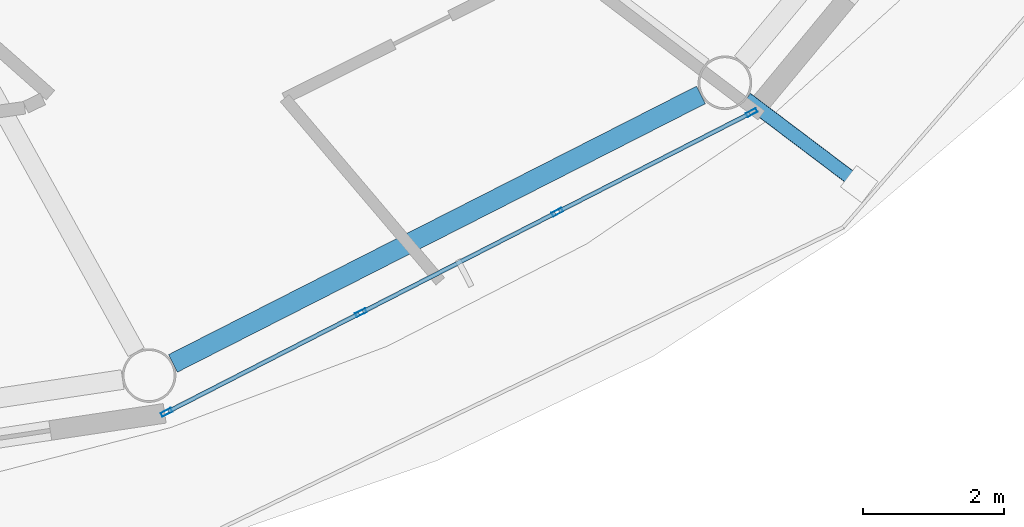
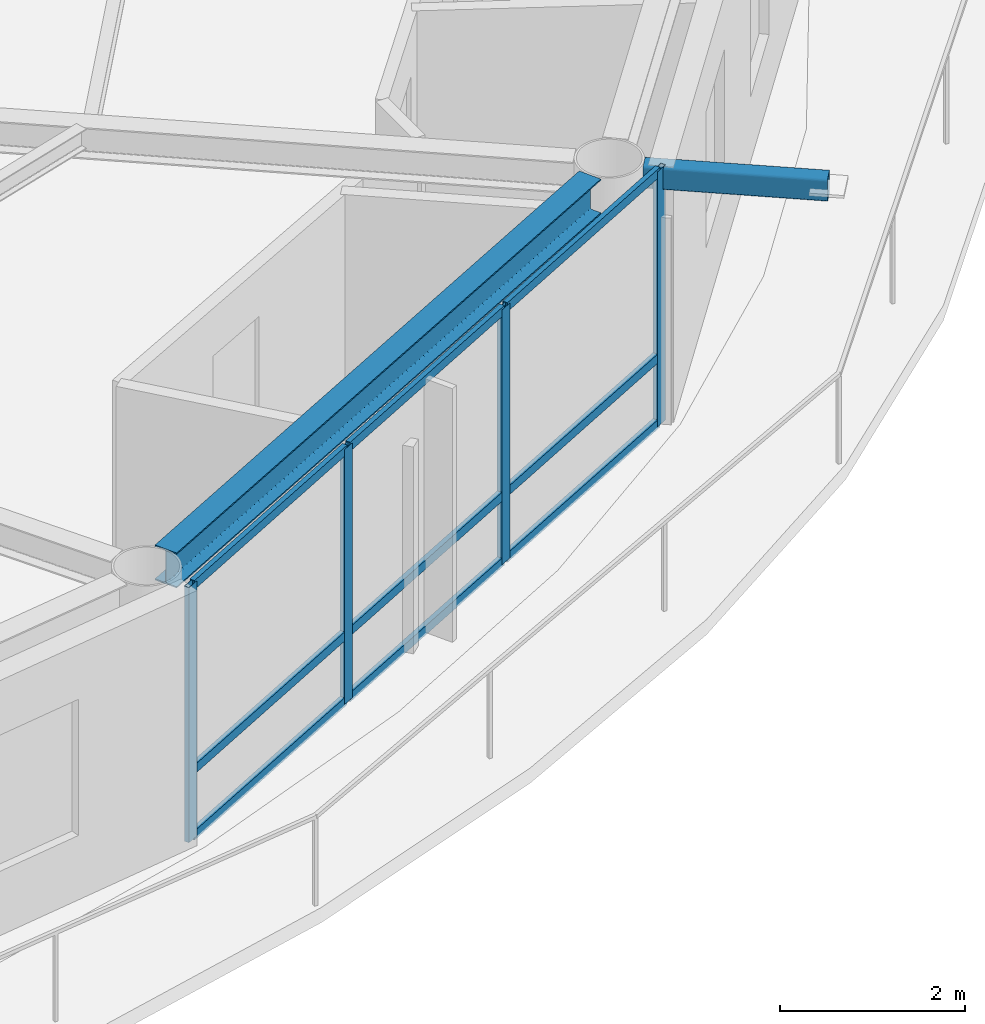
# One storey, part 5 of 23: 14 members, 1 beam, 1 element without a shape of its own.
"""IFC4 building model written with IfcOpenShell, lengths in metres."""

import ifcopenshell
import ifcopenshell.guid

model = None  # the IFC model being written
_history = None  # IfcOwnerHistory: only IFC2X3 demands one
_inside = {}  # id of a spatial element -> (the spatial element, [elements in it])
_under = {}  # id of a project, library or spatial element -> (it, [spatial elements below it])
_declared = {}  # id of a project -> (the project, [libraries it declares])
_typed = {}  # id of a type object -> (the type object, [elements of that type])
_made_of = {}  # id of a material, layer set ... -> (it, [elements and type objects made of it])


def new_model(schema):
    """Start an empty IFC model of exactly this schema.

    Asked for "IFC4X3", IfcOpenShell would pick the latest addendum, in which some entities
    have other attributes; the version numbers below select the first issue.
    IFC2X3 requires an IfcOwnerHistory on every rooted entity: one is made here for all.
    """
    global model, _history
    if schema == "IFC4X3":
        model = ifcopenshell.file(schema_version=(4, 3, 0, 0))
    else:
        model = ifcopenshell.file(schema=schema)
    _inside.clear()
    _under.clear()
    _declared.clear()
    _typed.clear()
    _made_of.clear()
    _history = None
    if model.schema == "IFC2X3":
        org = make("IfcOrganization", Name="unknown")
        user = make(
            "IfcPersonAndOrganization",
            ThePerson=make("IfcPerson", FamilyName="unknown"),
            TheOrganization=org,
        )
        app = make(
            "IfcApplication",
            ApplicationDeveloper=org,
            Version="unknown",
            ApplicationFullName="unknown",
            ApplicationIdentifier="unknown",
        )
        _history = make(
            "IfcOwnerHistory",
            OwningUser=user,
            OwningApplication=app,
            ChangeAction="ADDED",
            CreationDate=0,
        )
    return model


def make(cls, **values):
    """One entity of the class cls with the attributes given. An attribute that is None is left unset."""
    return model.create_entity(
        cls, **{name: value for name, value in values.items() if value is not None}
    )


def rooted(cls, **values):
    """An entity with a GlobalId (a new one), such as an element, a storey or a relation."""
    return make(cls, GlobalId=ifcopenshell.guid.new(), OwnerHistory=_history, **values)


def si_unit(unit_type, name, prefix=None):
    """IfcSIUnit, for example si_unit("LENGTHUNIT", "METRE", prefix="MILLI")."""
    return make("IfcSIUnit", UnitType=unit_type, Prefix=prefix, Name=name)


def assignment(units):
    """IfcUnitAssignment: the units of a project."""
    return None if units is None else make("IfcUnitAssignment", Units=units)


def point(xyz):
    """IfcCartesianPoint."""
    return None if xyz is None else make("IfcCartesianPoint", Coordinates=xyz)


def direction(xyz):
    """IfcDirection."""
    return None if xyz is None else make("IfcDirection", DirectionRatios=xyz)


def frame(location, z_axis=None, x_axis=None):
    """IfcAxis2Placement3D, a coordinate frame: its origin and axes. An axis left out is left unset."""
    return make(
        "IfcAxis2Placement3D",
        Location=point(location),
        Axis=direction(z_axis),
        RefDirection=direction(x_axis),
    )


def frame_2d(location, x_axis=None):
    """IfcAxis2Placement2D, a coordinate frame in the plane: its origin and x axis."""
    return make(
        "IfcAxis2Placement2D", Location=point(location), RefDirection=direction(x_axis)
    )


def origin():
    """The frame at (0, 0, 0) with its axes left unset."""
    return frame((0.0, 0.0, 0.0))


def origin_2d():
    """The frame at (0, 0) in the plane with its x axis left unset."""
    return frame_2d((0.0, 0.0))


def place(relative_to, where):
    """IfcLocalPlacement: puts the frame where relative to a parent placement (None: the world)."""
    return make(
        "IfcLocalPlacement", PlacementRelTo=relative_to, RelativePlacement=where
    )


def context(
    kind, dimensions, precision=None, world=None, true_north=None, identifier=None
):
    """IfcGeometricRepresentationContext, for example the 3D "Model" context."""
    return make(
        "IfcGeometricRepresentationContext",
        ContextIdentifier=identifier,
        ContextType=kind,
        CoordinateSpaceDimension=dimensions,
        Precision=precision,
        WorldCoordinateSystem=world,
        TrueNorth=true_north,
    )


def subcontext(parent, identifier, kind, view, scale=None):
    """IfcGeometricRepresentationSubContext, for example "Body" below "Model"."""
    return make(
        "IfcGeometricRepresentationSubContext",
        ContextIdentifier=identifier,
        ContextType=kind,
        ParentContext=parent,
        TargetScale=scale,
        TargetView=view,
    )


def project(units=None, contexts=None):
    """IfcProject with its units and contexts."""
    return rooted(
        "IfcProject",
        Name="project",
        RepresentationContexts=contexts,
        UnitsInContext=assignment(units),
    )


def spatial(cls, under=None, at=None, **own):
    """A site, building, storey or space (cls), placed at a placement, below another one or the project."""
    s = rooted(cls, ObjectPlacement=at, **own)
    if under is not None:
        _under.setdefault(under.id(), (under, []))[1].append(s)
    return s


def profile(cls, at=None, kind="AREA", **sizes):
    """A parametric profile (cls). Its sizes go by their IFC names, for example OverallWidth=200.0."""
    return make(cls, ProfileType=kind, Position=at, **sizes)


def hollow_rectangle(**sizes):
    """IfcRectangleHollowProfileDef."""
    return profile("IfcRectangleHollowProfileDef", **sizes)


def i_section(**sizes):
    """IfcIShapeProfileDef."""
    return profile("IfcIShapeProfileDef", **sizes)


def extrude(swept, where, along, depth):
    """IfcExtrudedAreaSolid: the profile swept, set in the frame where, extruded along a direction by depth."""
    return make(
        "IfcExtrudedAreaSolid",
        SweptArea=swept,
        Position=where,
        ExtrudedDirection=direction(along),
        Depth=depth,
    )


def shape(context_of_items, identifier, shape_type, items):
    """IfcShapeRepresentation: the items that make up one representation, for example the "Body"."""
    return make(
        "IfcShapeRepresentation",
        ContextOfItems=context_of_items,
        RepresentationIdentifier=identifier,
        RepresentationType=shape_type,
        Items=items,
    )


def material(Name=None, Category=None):
    """IfcMaterial."""
    return make("IfcMaterial", Name=Name, Category=Category)


def layer(
    of_material, thickness, ventilated=None, Name=None, Category=None, Priority=None
):
    """IfcMaterialLayer: one layer of a wall or slab, of a material (None: an air gap)."""
    return make(
        "IfcMaterialLayer",
        Material=of_material,
        LayerThickness=thickness,
        IsVentilated=ventilated,
        Name=Name,
        Category=Category,
        Priority=Priority,
    )


def layer_set(layers, Name=None):
    """IfcMaterialLayerSet."""
    return make("IfcMaterialLayerSet", MaterialLayers=layers, LayerSetName=Name)


def material_profile(
    of_material, cross_section, Name=None, Category=None, Priority=None
):
    """IfcMaterialProfile: a cross section and its material."""
    return make(
        "IfcMaterialProfile",
        Name=Name,
        Material=of_material,
        Profile=cross_section,
        Priority=Priority,
        Category=Category,
    )


def profile_set(profiles, Name=None, composite=None):
    """IfcMaterialProfileSet."""
    return make(
        "IfcMaterialProfileSet",
        Name=Name,
        MaterialProfiles=profiles,
        CompositeProfile=composite,
    )


def made_of(thing, what):
    """Note that an element or type object is made of a material, layer set ...; save() writes the relation."""
    if what is not None:
        _made_of.setdefault(what.id(), (what, []))[1].append(thing)
    return thing


def type_object(cls, material=None, **own):
    """A type object (cls), such as IfcWallType, which elements share."""
    return made_of(rooted(cls, **own), material)


def element(
    cls,
    number,
    at=None,
    inside=None,
    cuts=None,
    type_object=None,
    material=None,
    context=None,
    identifier="Body",
    shape_type=None,
    held_by="IfcProductDefinitionShape",
    body=None,
    shapes=None,
    **own,
):
    """One element of the class cls, such as IfcWall. Its Tag is "e" and its number.

    at: its placement. inside: the storey or other place that contains it. cuts: it is an
    opening in that element (IfcRelVoidsElement). A single representation is given by context,
    identifier, shape_type and body (its items); several are given by shapes. held_by: the class
    of the entity that holds the representations. save() writes the other relations.
    """
    e = rooted(cls, Tag="e%d" % number, ObjectPlacement=at, **own)
    if body is not None:
        shapes = [shape(context, identifier, shape_type, body)]
    if shapes is not None:
        e.Representation = make(held_by, Representations=shapes)
    if inside is not None:
        _inside.setdefault(inside.id(), (inside, []))[1].append(e)
    if cuts is not None:
        rooted(
            "IfcRelVoidsElement", RelatingBuildingElement=cuts, RelatedOpeningElement=e
        )
    if type_object is not None:
        _typed.setdefault(type_object.id(), (type_object, []))[1].append(e)
    return made_of(e, material)


def aggregate(whole, parts):
    """IfcRelAggregates: a whole, such as a stair, and the parts it consists of."""
    return rooted("IfcRelAggregates", RelatingObject=whole, RelatedObjects=parts)


def save(model, path):
    """Write the relations noted so far, then the file.

    IfcRelAggregates (storeys below a building ...), IfcRelContainedInSpatialStructure (elements
    in a storey), IfcRelDefinesByType, IfcRelAssociatesMaterial and IfcRelDeclares: one each for
    every whole, place, type object, material and project.
    """
    for whole, parts in _under.values():
        aggregate(whole, parts)
    for where, things in _inside.values():
        rooted(
            "IfcRelContainedInSpatialStructure",
            RelatedElements=things,
            RelatingStructure=where,
        )
    for kind, things in _typed.values():
        rooted("IfcRelDefinesByType", RelatedObjects=things, RelatingType=kind)
    for what, things in _made_of.values():
        rooted("IfcRelAssociatesMaterial", RelatedObjects=things, RelatingMaterial=what)
    for by, libraries in _declared.values():
        rooted("IfcRelDeclares", RelatingContext=by, RelatedDefinitions=libraries)
    model.write(path)


model = new_model("IFC4")

# Units and contexts
model_context = context("Model", 3, precision=1e-05, world=origin(), true_north=direction((0.0, 1.0)))
body_context = subcontext(model_context, "Body", "Model", "MODEL_VIEW")
ifc_project = project(units=[si_unit("LENGTHUNIT", "METRE"), si_unit("AREAUNIT", "SQUARE_METRE"), si_unit("VOLUMEUNIT", "CUBIC_METRE"), si_unit("PLANEANGLEUNIT", "RADIAN"), si_unit("MASSUNIT", "GRAM", prefix="KILO")], contexts=[model_context])

# Site, building, storey
site_placement = place(None, origin())
site = spatial("IfcSite", under=ifc_project, at=site_placement, CompositionType="ELEMENT")
building_placement = place(site_placement, origin())
building = spatial("IfcBuilding", under=site, at=building_placement, Name="Sarneth Arch Tower", CompositionType="ELEMENT")
storey_placement = place(building_placement, frame((0.0, 0.0, 276.60009765625)))
storey = spatial("IfcBuildingStorey", under=building, at=storey_placement, Name="L71", CompositionType="ELEMENT", Elevation=276.60009765625)

# Beam
ifc_material_1 = material(Name="Steel S355", Category="steel")
ifc_material_profile_1 = material_profile(ifc_material_1, i_section(OverallWidth=0.280029296875, OverallDepth=0.462890625, WebThickness=0.0107421875, FlangeThickness=0.017333984375, FilletRadius=0.01806640625, at=origin_2d()), Name="W460x113")
ifc_profile_set_1 = profile_set([ifc_material_profile_1], Name="Steel S355")
beam_type = type_object("IfcBeamType", Name="BM-RAD-460A", PredefinedType="BEAM", material=ifc_profile_set_1)
beam_placement = place(storey_placement, frame((58.13037109375, 24.434326171875, 3.138427734375), z_axis=(0.891373613492, 0.453269325204, 0.0), x_axis=(-0.453269325204, 0.891373613492, 0.0)))
element("IfcBeam", 1, at=beam_placement, inside=storey, type_object=beam_type, Name="L71 Perimeter spandrel beam 14", PredefinedType="BEAM", context=body_context, shape_type="SweptSolid", body=[
    extrude(i_section(OverallWidth=0.280029296875, OverallDepth=0.462890625, WebThickness=0.0107421875, FlangeThickness=0.017333984375, FilletRadius=0.01806640625, at=origin_2d()), origin(), (0.0, 0.0, 1.0), 8.419677734375),
])

# Curtain wall, members
ifc_material_2 = material(Name="Anodised aluminium Type AA25 and solar-control low-e laminated IGU", Category="aluminium")
ifc_layer = layer(ifc_material_2, 0.179931640625)
ifc_layer_set = layer_set([ifc_layer], Name="Anodised aluminium Type AA25 and solar-control low-e laminated IGU")
curtain_wall_type = type_object("IfcCurtainWallType", Name="CW-RES-HIGH", PredefinedType="NOTDEFINED", material=ifc_layer_set)
curtain_wall_placement = place(storey_placement, origin())
curtain_wall = element("IfcCurtainWall", 2, at=curtain_wall_placement, inside=storey, type_object=curtain_wall_type, Name="L71 Unitised curtain wall facet 14", PredefinedType="NOTDEFINED")
ifc_material_3 = material(Name="Anodised Aluminium 6063-T6", Category="aluminium")
ifc_material_profile_2 = material_profile(ifc_material_3, hollow_rectangle(XDim=0.06005859375, YDim=0.159912109375, WallThickness=0.00390625, at=origin_2d()), Name="AL-MULL-160x60x4")
ifc_profile_set_2 = profile_set([ifc_material_profile_2], Name="Anodised Aluminium 6063-T6")
member_type_1 = type_object("IfcMemberType", Name="CW-MULLION", PredefinedType="MULLION", material=ifc_profile_set_2)
member_1_placement = place(storey_placement, frame((58.039306640625, 23.7392578125, 0.0), z_axis=(0.0, 0.0, 1.0), x_axis=(-0.455941901753, 0.890009540525, 0.0)))
member_1 = element("IfcMember", 3, at=member_1_placement, type_object=member_type_1, Name="CW-SYS-6 mullion 1", PredefinedType="MULLION", context=body_context, shape_type="SweptSolid", body=[
    extrude(hollow_rectangle(XDim=0.06005859375, YDim=0.159912109375, WallThickness=0.00390625, at=origin_2d()), origin(), (0.0, 0.0, 1.0), 3.369873046875),
])
member_2_placement = place(storey_placement, frame((60.802490234375, 25.155029296875, 0.0), z_axis=(0.0, 0.0, 1.0), x_axis=(-0.455941901753, 0.890009540525, 0.0)))
member_2 = element("IfcMember", 4, at=member_2_placement, type_object=member_type_1, Name="CW-SYS-6 mullion 2", PredefinedType="MULLION", context=body_context, shape_type="SweptSolid", body=[
    extrude(hollow_rectangle(XDim=0.06005859375, YDim=0.159912109375, WallThickness=0.00390625, at=origin_2d()), origin(), (0.0, 0.0, 1.0), 3.369873046875),
])
member_3_placement = place(storey_placement, frame((63.592529296875, 26.584228515625, 0.0), z_axis=(0.0, 0.0, 1.0), x_axis=(-0.455941901753, 0.890009540525, 0.0)))
member_3 = element("IfcMember", 5, at=member_3_placement, type_object=member_type_1, Name="CW-SYS-6 mullion 3", PredefinedType="MULLION", context=body_context, shape_type="SweptSolid", body=[
    extrude(hollow_rectangle(XDim=0.06005859375, YDim=0.159912109375, WallThickness=0.00390625, at=origin_2d()), origin(), (0.0, 0.0, 1.0), 3.369873046875),
])
member_4_placement = place(storey_placement, frame((66.355712890625, 27.999755859375, 0.0), z_axis=(0.0, 0.0, 1.0), x_axis=(-0.455941901753, 0.890009540525, 0.0)))
member_4 = element("IfcMember", 6, at=member_4_placement, type_object=member_type_1, Name="CW-SYS-6 mullion 4", PredefinedType="MULLION", context=body_context, shape_type="SweptSolid", body=[
    extrude(hollow_rectangle(XDim=0.06005859375, YDim=0.159912109375, WallThickness=0.00390625, at=origin_2d()), origin(), (0.0, 0.0, 1.0), 3.369873046875),
])
ifc_material_4 = material(Name="Anodised Aluminium 6063-T6", Category="aluminium")
ifc_material_profile_3 = material_profile(ifc_material_4, hollow_rectangle(XDim=0.06005859375, YDim=0.1201171875, WallThickness=0.00390625, at=origin_2d()), Name="AL-TRAN-120x60x4")
ifc_profile_set_3 = profile_set([ifc_material_profile_3], Name="Anodised Aluminium 6063-T6")
member_type_2 = type_object("IfcMemberType", Name="CW-TRANSOM", PredefinedType="USERDEFINED", material=ifc_profile_set_3)
member_5_placement = place(storey_placement, frame((58.066162109375, 23.7529296875, 0.02978515625), z_axis=(0.889973523166, 0.456012201662, 0.0), x_axis=(-0.456012201662, 0.889973523166, 0.0)))
member_5 = element("IfcMember", 7, at=member_5_placement, type_object=member_type_2, Name="CW-SYS-6 transom 1.1", ObjectType="TRANSOM", PredefinedType="USERDEFINED", context=body_context, shape_type="SweptSolid", body=[
    extrude(hollow_rectangle(XDim=0.06005859375, YDim=0.1201171875, WallThickness=0.00390625, at=origin_2d()), origin(), (0.0, 0.0, 1.0), 3.044677734375),
])
member_6_placement = place(storey_placement, frame((58.066162109375, 23.7529296875, 0.89990234375), z_axis=(0.889973523166, 0.456012201662, 0.0), x_axis=(-0.456012201662, 0.889973523166, 0.0)))
member_6 = element("IfcMember", 8, at=member_6_placement, type_object=member_type_2, Name="CW-SYS-6 transom 1.2", ObjectType="TRANSOM", PredefinedType="USERDEFINED", context=body_context, shape_type="SweptSolid", body=[
    extrude(hollow_rectangle(XDim=0.06005859375, YDim=0.1201171875, WallThickness=0.00390625, at=origin_2d()), origin(), (0.0, 0.0, 1.0), 3.044677734375),
])
member_7_placement = place(storey_placement, frame((58.066162109375, 23.7529296875, 3.33984375), z_axis=(0.889973523166, 0.456012201662, 0.0), x_axis=(-0.456012201662, 0.889973523166, 0.0)))
member_7 = element("IfcMember", 9, at=member_7_placement, type_object=member_type_2, Name="CW-SYS-6 transom 1.3", ObjectType="TRANSOM", PredefinedType="USERDEFINED", context=body_context, shape_type="SweptSolid", body=[
    extrude(hollow_rectangle(XDim=0.06005859375, YDim=0.1201171875, WallThickness=0.00390625, at=origin_2d()), origin(), (0.0, 0.0, 1.0), 3.044677734375),
])
member_8_placement = place(storey_placement, frame((60.829345703125, 25.168701171875, 0.02978515625), z_axis=(0.890017432405, 0.455926496286, 0.0), x_axis=(-0.455926496286, 0.890017432405, 0.0)))
member_8 = element("IfcMember", 10, at=member_8_placement, type_object=member_type_2, Name="CW-SYS-6 transom 2.1", ObjectType="TRANSOM", PredefinedType="USERDEFINED", context=body_context, shape_type="SweptSolid", body=[
    extrude(hollow_rectangle(XDim=0.06005859375, YDim=0.1201171875, WallThickness=0.00390625, at=origin_2d()), origin(), (0.0, 0.0, 1.0), 3.07470703125),
])
member_9_placement = place(storey_placement, frame((60.829345703125, 25.168701171875, 0.89990234375), z_axis=(0.890017432405, 0.455926496286, 0.0), x_axis=(-0.455926496286, 0.890017432405, 0.0)))
member_9 = element("IfcMember", 11, at=member_9_placement, type_object=member_type_2, Name="CW-SYS-6 transom 2.2", ObjectType="TRANSOM", PredefinedType="USERDEFINED", context=body_context, shape_type="SweptSolid", body=[
    extrude(hollow_rectangle(XDim=0.06005859375, YDim=0.1201171875, WallThickness=0.00390625, at=origin_2d()), origin(), (0.0, 0.0, 1.0), 3.07470703125),
])
member_10_placement = place(storey_placement, frame((60.829345703125, 25.168701171875, 3.33984375), z_axis=(0.890017432405, 0.455926496286, 0.0), x_axis=(-0.455926496286, 0.890017432405, 0.0)))
member_10 = element("IfcMember", 12, at=member_10_placement, type_object=member_type_2, Name="CW-SYS-6 transom 2.3", ObjectType="TRANSOM", PredefinedType="USERDEFINED", context=body_context, shape_type="SweptSolid", body=[
    extrude(hollow_rectangle(XDim=0.06005859375, YDim=0.1201171875, WallThickness=0.00390625, at=origin_2d()), origin(), (0.0, 0.0, 1.0), 3.07470703125),
])
member_11_placement = place(storey_placement, frame((63.619140625, 26.597900390625, 0.02978515625), z_axis=(0.890022732705, 0.455916149384, 0.0), x_axis=(-0.455916149384, 0.890022732705, 0.0)))
member_11 = element("IfcMember", 13, at=member_11_placement, type_object=member_type_2, Name="CW-SYS-6 transom 3.1", ObjectType="TRANSOM", PredefinedType="USERDEFINED", context=body_context, shape_type="SweptSolid", body=[
    extrude(hollow_rectangle(XDim=0.06005859375, YDim=0.1201171875, WallThickness=0.00390625, at=origin_2d()), origin(), (0.0, 0.0, 1.0), 3.044921875),
])
member_12_placement = place(storey_placement, frame((63.619140625, 26.597900390625, 0.89990234375), z_axis=(0.890022732705, 0.455916149384, 0.0), x_axis=(-0.455916149384, 0.890022732705, 0.0)))
member_12 = element("IfcMember", 14, at=member_12_placement, type_object=member_type_2, Name="CW-SYS-6 transom 3.2", ObjectType="TRANSOM", PredefinedType="USERDEFINED", context=body_context, shape_type="SweptSolid", body=[
    extrude(hollow_rectangle(XDim=0.06005859375, YDim=0.1201171875, WallThickness=0.00390625, at=origin_2d()), origin(), (0.0, 0.0, 1.0), 3.044921875),
])
member_13_placement = place(storey_placement, frame((63.619140625, 26.597900390625, 3.33984375), z_axis=(0.890022732705, 0.455916149384, 0.0), x_axis=(-0.455916149384, 0.890022732705, 0.0)))
member_13 = element("IfcMember", 15, at=member_13_placement, type_object=member_type_2, Name="CW-SYS-6 transom 3.3", ObjectType="TRANSOM", PredefinedType="USERDEFINED", context=body_context, shape_type="SweptSolid", body=[
    extrude(hollow_rectangle(XDim=0.06005859375, YDim=0.1201171875, WallThickness=0.00390625, at=origin_2d()), origin(), (0.0, 0.0, 1.0), 3.044921875),
])
aggregate(curtain_wall, [member_1, member_2, member_3, member_4, member_5, member_6, member_7, member_8, member_9, member_10, member_11, member_12, member_13])

# Member
ifc_material_5 = material(Name="Steel S355", Category="steel")
ifc_material_profile_4 = material_profile(ifc_material_5, hollow_rectangle(XDim=0.199951171875, YDim=0.300048828125, WallThickness=0.012451171875, InnerFilletRadius=0.018798828125, OuterFilletRadius=0.03125, at=origin_2d()), Name="RHS300x200x12.5")
ifc_profile_set_4 = profile_set([ifc_material_profile_4], Name="Steel S355")
member_type_3 = type_object("IfcMemberType", Name="MEM-CANT-STRUT", PredefinedType="STRUT", material=ifc_profile_set_4)
member_14_placement = place(storey_placement, frame((66.279296875, 28.19384765625, 3.2099609375), z_axis=(0.797969853334, -0.602697364495, 0.0), x_axis=(0.602697364495, 0.797969853334, 0.0)))
element("IfcMember", 16, at=member_14_placement, inside=storey, type_object=member_type_3, Name="L71 Balcony cantilever bracket 15", PredefinedType="STRUT", context=body_context, shape_type="SweptSolid", body=[
    extrude(hollow_rectangle(XDim=0.199951171875, YDim=0.300048828125, WallThickness=0.012451171875, InnerFilletRadius=0.018798828125, OuterFilletRadius=0.03125, at=origin_2d()), origin(), (0.0, 0.0, 1.0), 2.010498046875),
])

save(model, "model.ifc")
